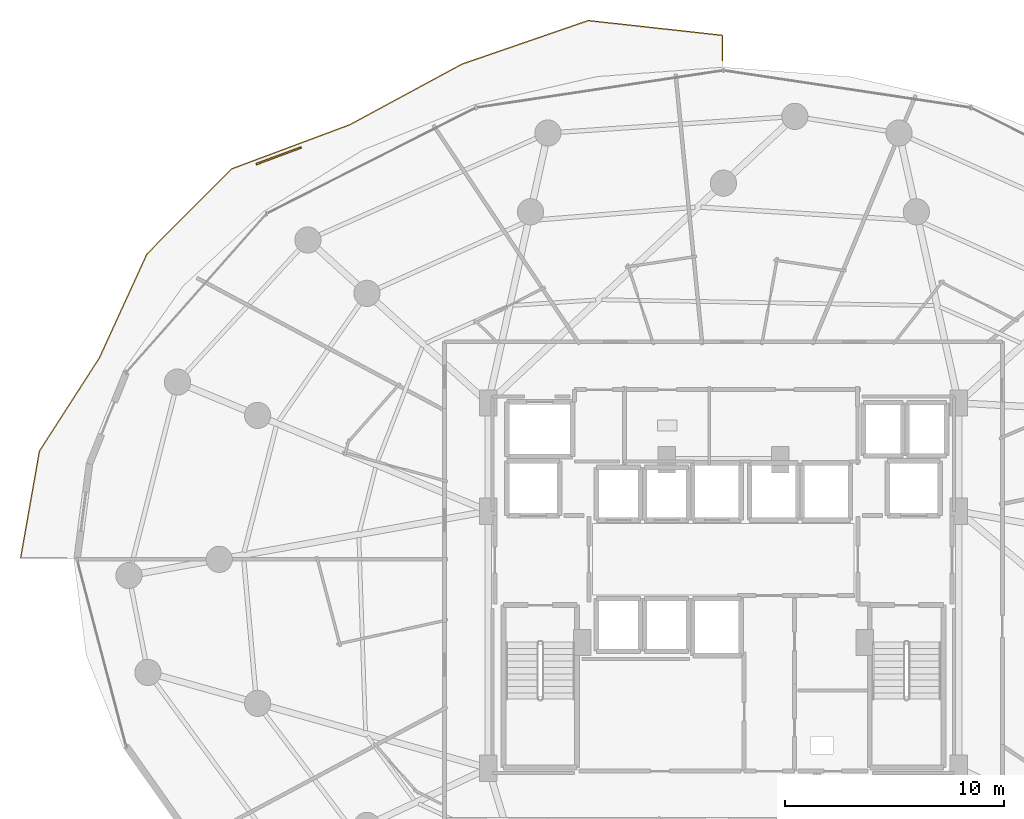
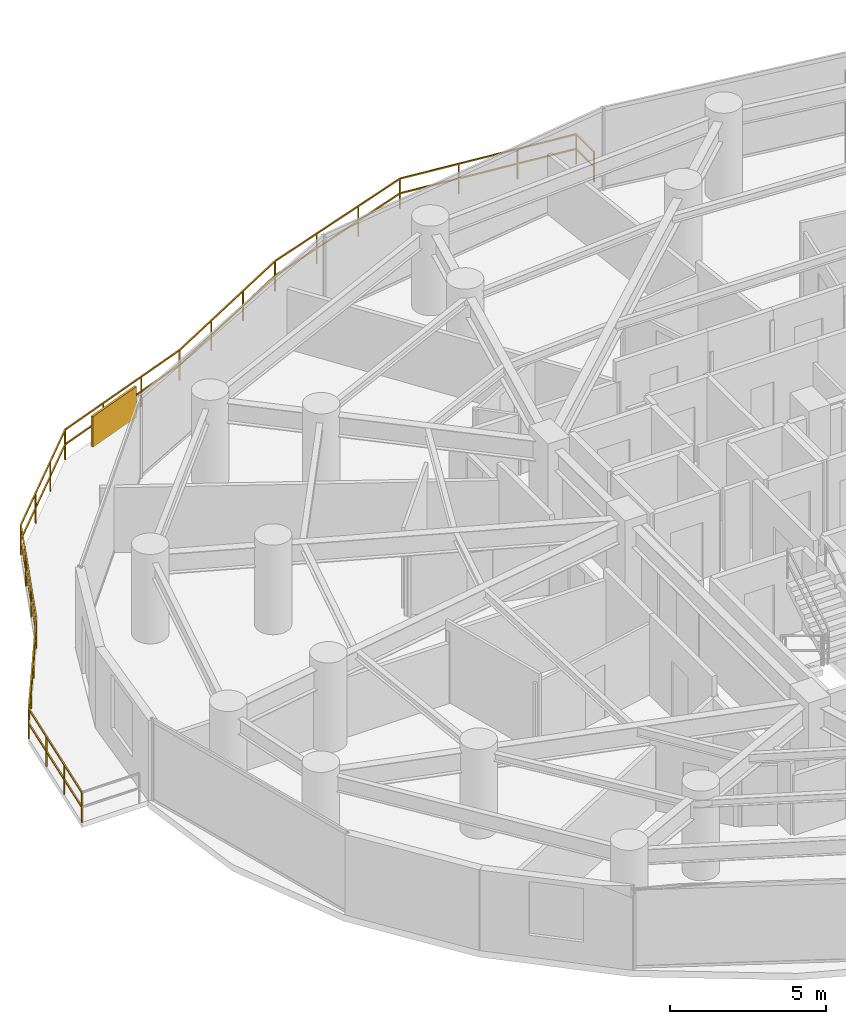
# One storey, part 33 of 34: 1 railing, 1 shading device.
"""IFC4 building model written with IfcOpenShell, lengths in metres."""

from ifc_helpers import new_model, si_unit, direction, frame, origin, origin_2d, place, context, subcontext, project, spatial, rectangle, extrude, material, type_object, element, save


model = new_model("IFC4")

# Units and contexts
model_context = context("Model", 3, precision=1e-05, world=origin(), true_north=direction((0.0, 1.0)))
body_context = subcontext(model_context, "Body", "Model", "MODEL_VIEW")
ifc_project = project(units=[si_unit("LENGTHUNIT", "METRE"), si_unit("AREAUNIT", "SQUARE_METRE"), si_unit("VOLUMEUNIT", "CUBIC_METRE"), si_unit("PLANEANGLEUNIT", "RADIAN"), si_unit("MASSUNIT", "GRAM", prefix="KILO")], contexts=[model_context])

# Site, building, storey
site_placement = place(None, origin())
site = spatial("IfcSite", under=ifc_project, at=site_placement, CompositionType="ELEMENT")
building_placement = place(site_placement, origin())
building = spatial("IfcBuilding", under=site, at=building_placement, Name="Vorneva Point Tower", CompositionType="ELEMENT")
storey_placement = place(building_placement, frame((0.0, 0.0, 66.0)))
storey = spatial("IfcBuildingStorey", under=building, at=storey_placement, Name="L17", CompositionType="ELEMENT", Elevation=66.0)

# Railing
ifc_material = material(Name="Pale anodised aluminium", Category="aluminium")
railing_type = type_object("IfcRailingType", Name="RL-BAL-1200", PredefinedType="BALUSTRADE", material=ifc_material)
railing_placement = place(storey_placement, frame((37.949951171875, 48.817138671875, 0.0)))
element("IfcRailing", 1, at=railing_placement, inside=storey, type_object=railing_type, Name="L17 Wave Balcony Balustrade NW.2", PredefinedType="BALUSTRADE", context=body_context, shape_type="SweptSolid", body=[
    extrude(rectangle(XDim=0.048095703125, YDim=0.048095703125, at=origin_2d()), frame((0.0, 0.0, 1.17578125), z_axis=(0.0, 1.0, 0.0), x_axis=(-1.0, 0.0, 0.0)), (0.0, 0.0, 1.0), 1.143310546875),
    extrude(rectangle(XDim=0.048095703125, YDim=0.048095703125, at=origin_2d()), frame((0.0, 0.0, 0.60009765625), z_axis=(0.0, 1.0, 0.0), x_axis=(-1.0, 0.0, 0.0)), (0.0, 0.0, 1.0), 1.143310546875),
    extrude(rectangle(XDim=0.048095703125, YDim=0.048095703125, at=origin_2d()), frame((0.0, 1.143310546875, 1.17578125), z_axis=(-0.993993295129, 0.109440985188, 0.0), x_axis=(-0.109440985188, -0.993993295129, 0.0)), (0.0, 0.0, 1.0), 6.168212890625),
    extrude(rectangle(XDim=0.048095703125, YDim=0.048095703125, at=origin_2d()), frame((0.0, 1.143310546875, 0.60009765625), z_axis=(-0.993993295129, 0.109440985188, 0.0), x_axis=(-0.109440985188, -0.993993295129, 0.0)), (0.0, 0.0, 1.0), 6.168212890625),
    extrude(rectangle(XDim=0.048095703125, YDim=0.048095703125, at=origin_2d()), frame((-6.131103515625, 1.818359375, 1.17578125), z_axis=(-0.945437599606, -0.32580323088, 0.0), x_axis=(0.32580323088, -0.945437599606, 0.0)), (0.0, 0.0, 1.0), 6.101318359375),
    extrude(rectangle(XDim=0.048095703125, YDim=0.048095703125, at=origin_2d()), frame((-6.131103515625, 1.818359375, 0.60009765625), z_axis=(-0.945437599606, -0.32580323088, 0.0), x_axis=(0.32580323088, -0.945437599606, 0.0)), (0.0, 0.0, 1.0), 6.101318359375),
    extrude(rectangle(XDim=0.048095703125, YDim=0.048095703125, at=origin_2d()), frame((-11.8994140625, -0.16943359375, 1.17578125), z_axis=(-0.879801939077, -0.475340454829, 0.0), x_axis=(0.475340454829, -0.879801939077, 0.0)), (0.0, 0.0, 1.0), 5.841796875),
    extrude(rectangle(XDim=0.048095703125, YDim=0.048095703125, at=origin_2d()), frame((-11.8994140625, -0.16943359375, 0.60009765625), z_axis=(-0.879801939077, -0.475340454829, 0.0), x_axis=(0.475340454829, -0.879801939077, 0.0)), (0.0, 0.0, 1.0), 5.841796875),
    extrude(rectangle(XDim=0.048095703125, YDim=0.048095703125, at=origin_2d()), frame((-17.0390625, -2.9462890625, 1.17578125), z_axis=(-0.936825380414, -0.349797379366, 0.0), x_axis=(0.349797379366, -0.936825380414, 0.0)), (0.0, 0.0, 1.0), 5.751708984375),
    extrude(rectangle(XDim=0.048095703125, YDim=0.048095703125, at=origin_2d()), frame((-17.0390625, -2.9462890625, 0.60009765625), z_axis=(-0.936825380414, -0.349797379366, 0.0), x_axis=(0.349797379366, -0.936825380414, 0.0)), (0.0, 0.0, 1.0), 5.751708984375),
    extrude(rectangle(XDim=0.048095703125, YDim=0.048095703125, at=origin_2d()), frame((-22.427490234375, -4.958251953125, 1.17578125), z_axis=(-0.706084277619, -0.708127808308, 0.0), x_axis=(0.708127808308, -0.706084277619, 0.0)), (0.0, 0.0, 1.0), 5.49560546875),
    extrude(rectangle(XDim=0.048095703125, YDim=0.048095703125, at=origin_2d()), frame((-22.427490234375, -4.958251953125, 0.60009765625), z_axis=(-0.706084277619, -0.708127808308, 0.0), x_axis=(0.708127808308, -0.706084277619, 0.0)), (0.0, 0.0, 1.0), 5.49560546875),
    extrude(rectangle(XDim=0.048095703125, YDim=0.048095703125, at=origin_2d()), frame((-26.307861328125, -8.849853515625, 1.17578125), z_axis=(-0.416265850163, -0.909242949925, 0.0), x_axis=(0.909242949925, -0.416265850163, 0.0)), (0.0, 0.0, 1.0), 5.232177734375),
    extrude(rectangle(XDim=0.048095703125, YDim=0.048095703125, at=origin_2d()), frame((-26.307861328125, -8.849853515625, 0.60009765625), z_axis=(-0.416265850163, -0.909242949925, 0.0), x_axis=(0.909242949925, -0.416265850163, 0.0)), (0.0, 0.0, 1.0), 5.232177734375),
    extrude(rectangle(XDim=0.048095703125, YDim=0.048095703125, at=origin_2d()), frame((-28.48583984375, -13.607177734375, 1.17578125), z_axis=(-0.541013524432, -0.841013891907, 0.0), x_axis=(0.841013891907, -0.541013524432, 0.0)), (0.0, 0.0, 1.0), 5.061767578125),
    extrude(rectangle(XDim=0.048095703125, YDim=0.048095703125, at=origin_2d()), frame((-28.48583984375, -13.607177734375, 0.60009765625), z_axis=(-0.541013524432, -0.841013891907, 0.0), x_axis=(0.841013891907, -0.541013524432, 0.0)), (0.0, 0.0, 1.0), 5.061767578125),
    extrude(rectangle(XDim=0.048095703125, YDim=0.048095703125, at=origin_2d()), frame((-31.224365234375, -17.8642578125, 1.17578125), z_axis=(-0.173125012369, -0.9848998579, 0.0), x_axis=(0.9848998579, -0.173125012369, 0.0)), (0.0, 0.0, 1.0), 4.97802734375),
    extrude(rectangle(XDim=0.048095703125, YDim=0.048095703125, at=origin_2d()), frame((-31.224365234375, -17.8642578125, 0.60009765625), z_axis=(-0.173125012369, -0.9848998579, 0.0), x_axis=(0.9848998579, -0.173125012369, 0.0)), (0.0, 0.0, 1.0), 4.97802734375),
    extrude(rectangle(XDim=0.0419921875, YDim=0.0419921875, at=origin_2d()), origin(), (0.0, 0.0, 1.0), 1.15185546875),
    extrude(rectangle(XDim=0.0419921875, YDim=0.0419921875, at=origin_2d()), frame((0.0, 1.143310546875, 0.0)), (0.0, 0.0, 1.0), 1.15185546875),
    extrude(rectangle(XDim=0.0419921875, YDim=0.0419921875, at=origin_2d()), frame((-2.043701171875, 1.368408203125, 0.0)), (0.0, 0.0, 1.0), 1.15185546875),
    extrude(rectangle(XDim=0.0419921875, YDim=0.0419921875, at=origin_2d()), frame((-4.08740234375, 1.59326171875, 0.0)), (0.0, 0.0, 1.0), 1.15185546875),
    extrude(rectangle(XDim=0.0419921875, YDim=0.0419921875, at=origin_2d()), frame((-6.131103515625, 1.818359375, 0.0)), (0.0, 0.0, 1.0), 1.15185546875),
    extrude(rectangle(XDim=0.0419921875, YDim=0.0419921875, at=origin_2d()), frame((-8.053955078125, 1.15576171875, 0.0)), (0.0, 0.0, 1.0), 1.15185546875),
    extrude(rectangle(XDim=0.0419921875, YDim=0.0419921875, at=origin_2d()), frame((-9.9765625, 0.4931640625, 0.0)), (0.0, 0.0, 1.0), 1.15185546875),
    extrude(rectangle(XDim=0.0419921875, YDim=0.0419921875, at=origin_2d()), frame((-11.8994140625, -0.16943359375, 0.0)), (0.0, 0.0, 1.0), 1.15185546875),
    extrude(rectangle(XDim=0.0419921875, YDim=0.0419921875, at=origin_2d()), frame((-13.612548828125, -1.094970703125, 0.0)), (0.0, 0.0, 1.0), 1.15185546875),
    extrude(rectangle(XDim=0.0419921875, YDim=0.0419921875, at=origin_2d()), frame((-15.325927734375, -2.020751953125, 0.0)), (0.0, 0.0, 1.0), 1.15185546875),
    extrude(rectangle(XDim=0.0419921875, YDim=0.0419921875, at=origin_2d()), frame((-17.0390625, -2.9462890625, 0.0)), (0.0, 0.0, 1.0), 1.15185546875),
    extrude(rectangle(XDim=0.0419921875, YDim=0.0419921875, at=origin_2d()), frame((-18.835205078125, -3.616943359375, 0.0)), (0.0, 0.0, 1.0), 1.15185546875),
    extrude(rectangle(XDim=0.0419921875, YDim=0.0419921875, at=origin_2d()), frame((-20.63134765625, -4.28759765625, 0.0)), (0.0, 0.0, 1.0), 1.15185546875),
    extrude(rectangle(XDim=0.0419921875, YDim=0.0419921875, at=origin_2d()), frame((-22.427490234375, -4.958251953125, 0.0)), (0.0, 0.0, 1.0), 1.15185546875),
    extrude(rectangle(XDim=0.0419921875, YDim=0.0419921875, at=origin_2d()), frame((-23.720947265625, -6.25537109375, 0.0)), (0.0, 0.0, 1.0), 1.15185546875),
    extrude(rectangle(XDim=0.0419921875, YDim=0.0419921875, at=origin_2d()), frame((-25.014404296875, -7.552734375, 0.0)), (0.0, 0.0, 1.0), 1.15185546875),
    extrude(rectangle(XDim=0.0419921875, YDim=0.0419921875, at=origin_2d()), frame((-26.307861328125, -8.849853515625, 0.0)), (0.0, 0.0, 1.0), 1.15185546875),
    extrude(rectangle(XDim=0.0419921875, YDim=0.0419921875, at=origin_2d()), frame((-27.033935546875, -10.435546875, 0.0)), (0.0, 0.0, 1.0), 1.15185546875),
    extrude(rectangle(XDim=0.0419921875, YDim=0.0419921875, at=origin_2d()), frame((-27.759765625, -12.021484375, 0.0)), (0.0, 0.0, 1.0), 1.15185546875),
    extrude(rectangle(XDim=0.0419921875, YDim=0.0419921875, at=origin_2d()), frame((-28.48583984375, -13.607177734375, 0.0)), (0.0, 0.0, 1.0), 1.15185546875),
    extrude(rectangle(XDim=0.0419921875, YDim=0.0419921875, at=origin_2d()), frame((-29.398681640625, -15.026123046875, 0.0)), (0.0, 0.0, 1.0), 1.15185546875),
    extrude(rectangle(XDim=0.0419921875, YDim=0.0419921875, at=origin_2d()), frame((-30.3115234375, -16.4453125, 0.0)), (0.0, 0.0, 1.0), 1.15185546875),
    extrude(rectangle(XDim=0.0419921875, YDim=0.0419921875, at=origin_2d()), frame((-31.224365234375, -17.8642578125, 0.0)), (0.0, 0.0, 1.0), 1.15185546875),
    extrude(rectangle(XDim=0.0419921875, YDim=0.0419921875, at=origin_2d()), frame((-31.51171875, -19.49853515625, 0.0)), (0.0, 0.0, 1.0), 1.15185546875),
    extrude(rectangle(XDim=0.0419921875, YDim=0.0419921875, at=origin_2d()), frame((-31.798828125, -21.1328125, 0.0)), (0.0, 0.0, 1.0), 1.15185546875),
    extrude(rectangle(XDim=0.0419921875, YDim=0.0419921875, at=origin_2d()), frame((-32.086181640625, -22.76708984375, 0.0)), (0.0, 0.0, 1.0), 1.15185546875),
])

# Shading device
shading_device_type = type_object("IfcShadingDeviceType", Name="SHD-JAL-1200", PredefinedType="JALOUSIE", material=ifc_material)
shading_device_placement = place(storey_placement, frame((17.6708984375, 44.452392578125, -0.02001953125), z_axis=(0.0, 0.0, 1.0), x_axis=(-0.936818801595, -0.349814998218, 0.0)))
element("IfcShadingDevice", 2, at=shading_device_placement, inside=storey, type_object=shading_device_type, Name="L17 Balcony Vertical-Greenery Planter Screen NW.2", PredefinedType="JALOUSIE", context=body_context, shape_type="SweptSolid", body=[
    extrude(rectangle(XDim=2.199951171875, YDim=0.080078125, at=origin_2d()), origin(), (0.0, 0.0, 1.0), 1.199951171875),
])

save(model, "model.ifc")
